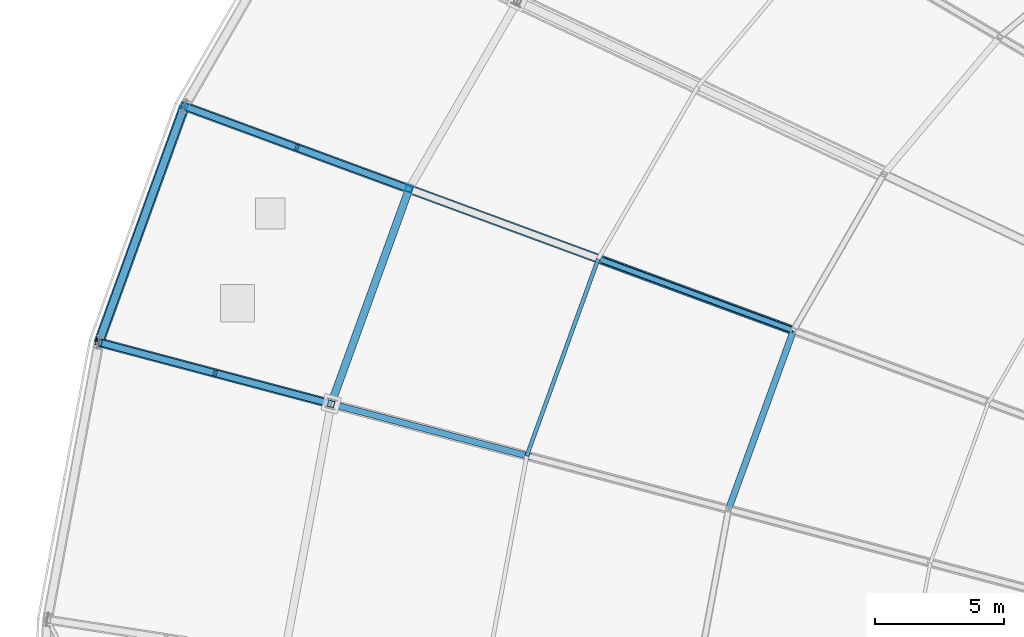
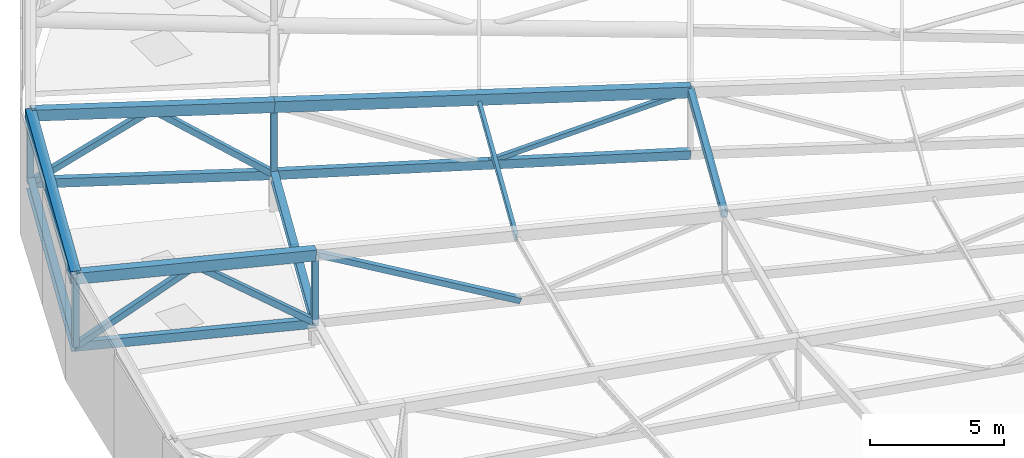
# One storey, part 45 of 143: 11 members, 10 beams.
"""IFC4 building model written with IfcOpenShell, lengths in metres."""

from ifc_helpers import new_model, si_unit, direction, frame, origin, origin_2d, place, context, subcontext, project, spatial, hollow_rectangle, i_section, extrude, material, material_profile, profile_set, type_object, element, save


model = new_model("IFC4")

# Units and contexts
model_context = context("Model", 3, precision=1e-05, world=origin(), true_north=direction((0.0, 1.0)))
body_context = subcontext(model_context, "Body", "Model", "MODEL_VIEW")
ifc_project = project(units=[si_unit("LENGTHUNIT", "METRE"), si_unit("AREAUNIT", "SQUARE_METRE"), si_unit("VOLUMEUNIT", "CUBIC_METRE"), si_unit("PLANEANGLEUNIT", "RADIAN"), si_unit("MASSUNIT", "GRAM", prefix="KILO")], contexts=[model_context])

# Site, building, storey
site_placement = place(None, origin())
site = spatial("IfcSite", under=ifc_project, at=site_placement, CompositionType="ELEMENT")
building_placement = place(site_placement, origin())
building = spatial("IfcBuilding", under=site, at=building_placement, Name="Mphavela Belvedere Stadium", CompositionType="ELEMENT")
storey_placement = place(building_placement, frame((0.0, 0.0, 28.800048828125)))
storey = spatial("IfcBuildingStorey", under=building, at=storey_placement, Name="RF", CompositionType="ELEMENT", Elevation=28.800048828125)

# Beams
ifc_material_1 = material(Name="Steel S355", Category="steel")
ifc_material_profile_1 = material_profile(ifc_material_1, hollow_rectangle(XDim=0.25, YDim=0.39990234375, WallThickness=0.01611328125, at=origin_2d()), Name="RHS 400x250x16")
ifc_profile_set_1 = profile_set([ifc_material_profile_1], Name="Steel S355")
beam_type_1 = type_object("IfcBeamType", Name="BM-RING-MID", PredefinedType="BEAM", material=ifc_profile_set_1)
beam_1_placement = place(storey_placement, frame((41.672607421875, 114.01416015625, 3.554443359375), z_axis=(-0.340000028407, -0.9371540744, -0.078372326236), x_axis=(0.940045505056, -0.341049041085, 0.0)))
element("IfcBeam", 1, at=beam_1_placement, inside=storey, type_object=beam_type_1, Name="Intermediate roof ring beam RB-MID-22", PredefinedType="BEAM", context=body_context, shape_type="SweptSolid", body=[
    extrude(hollow_rectangle(XDim=0.25, YDim=0.39990234375, WallThickness=0.01611328125, at=origin_2d()), origin(), (0.0, 0.0, 1.0), 7.3671875),
])
ifc_material_2 = material(Name="Steel S355", Category="steel")
ifc_material_profile_2 = material_profile(ifc_material_2, hollow_rectangle(XDim=0.39990234375, YDim=0.60009765625, WallThickness=0.02001953125, at=origin_2d()), Name="RHS 600x400x20")
ifc_profile_set_2 = profile_set([ifc_material_profile_2], Name="Steel S355")
beam_type_2 = type_object("IfcBeamType", Name="BM-RING-OUT", PredefinedType="BEAM", material=ifc_profile_set_2)
beam_2_placement = place(storey_placement, frame((18.143798828125, 122.682373046875, 5.411865234375), z_axis=(-0.339968578653, -0.93716524652, -0.078375163435), x_axis=(0.94005692197, -0.341017570596, 0.0)))
element("IfcBeam", 2, at=beam_2_placement, inside=storey, type_object=beam_type_2, Name="Perimeter compression ring beam RB-OUT-22", PredefinedType="BEAM", context=body_context, shape_type="SweptSolid", body=[
    extrude(hollow_rectangle(XDim=0.39990234375, YDim=0.60009765625, WallThickness=0.02001953125, at=origin_2d()), origin(), (0.0, 0.0, 1.0), 9.7314453125),
])
ifc_material_3 = material(Name="Steel S355", Category="steel")
ifc_material_profile_3 = material_profile(ifc_material_3, i_section(OverallWidth=0.300048828125, OverallDepth=0.39990234375, WebThickness=0.013427734375, FlangeThickness=0.02392578125, at=origin_2d()), Name="HEB 400")
ifc_profile_set_3 = profile_set([ifc_material_profile_3], Name="Steel S355")
beam_type_3 = type_object("IfcBeamType", Name="BM-STEEL-HEB400", PredefinedType="BEAM", material=ifc_profile_set_3)
beam_3_placement = place(storey_placement, frame((26.824462890625, 119.484375, 1.611328125), z_axis=(-0.339980753487, -0.937158586677, -0.07840198133), x_axis=(0.940052229987, -0.341030504348, 0.0)))
element("IfcBeam", 3, at=beam_3_placement, inside=storey, type_object=beam_type_3, Name="Roof bottom-chord tie girder R3-22", PredefinedType="BEAM", context=body_context, shape_type="SweptSolid", body=[
    extrude(i_section(OverallWidth=0.300048828125, OverallDepth=0.39990234375, WebThickness=0.013427734375, FlangeThickness=0.02392578125, at=origin_2d()), origin(), (0.0, 0.0, 1.0), 8.859130859375),
])
ifc_material_4 = material(Name="Steel S355", Category="steel")
ifc_material_profile_4 = material_profile(ifc_material_4, i_section(OverallWidth=0.300048828125, OverallDepth=0.60009765625, WebThickness=0.015380859375, FlangeThickness=0.030029296875, at=origin_2d()), Name="HEB 600")
ifc_profile_set_4 = profile_set([ifc_material_profile_4], Name="Steel S355")
beam_type_4 = type_object("IfcBeamType", Name="BM-STEEL-HEB600", PredefinedType="BEAM", material=ifc_profile_set_4)
beam_4_placement = place(storey_placement, frame((18.143798828125, 122.682373046875, 2.31689453125), z_axis=(-0.339967910074, -0.937163403499, -0.078400097335), x_axis=(0.94005692197, -0.341017570596, 0.0)))
element("IfcBeam", 4, at=beam_4_placement, inside=storey, type_object=beam_type_4, Name="Roof bottom-chord tie girder R4-22", PredefinedType="BEAM", context=body_context, shape_type="SweptSolid", body=[
    extrude(i_section(OverallWidth=0.300048828125, OverallDepth=0.60009765625, WebThickness=0.015380859375, FlangeThickness=0.030029296875, at=origin_2d()), origin(), (0.0, 0.0, 1.0), 9.7314453125),
])
ifc_material_5 = material(Name="Steel S355", Category="steel")
ifc_material_profile_5 = material_profile(ifc_material_5, hollow_rectangle(XDim=0.25, YDim=0.39990234375, WallThickness=0.01611328125, at=origin_2d()), Name="RHS 400x250x16")
ifc_profile_set_5 = profile_set([ifc_material_profile_5], Name="Steel S355")
beam_type_5 = type_object("IfcBeamType", Name="BM-TRUSS-BC2", PredefinedType="BEAM", material=ifc_profile_set_5)
beam_5_placement = place(storey_placement, frame((18.143798828125, 122.682373046875, 2.31689453125), z_axis=(0.935630744709, -0.344690829254, -0.076048285865), x_axis=(0.345691905967, 0.938348073025, 0.0)))
element("IfcBeam", 5, at=beam_5_placement, inside=storey, type_object=beam_type_5, Name="Radial roof truss RT-22 bottom chord 1", PredefinedType="BEAM", context=body_context, shape_type="SweptSolid", body=[
    extrude(hollow_rectangle(XDim=0.25, YDim=0.39990234375, WallThickness=0.01611328125, at=origin_2d()), origin(), (0.0, 0.0, 1.0), 9.27783203125),
])
beam_6_placement = place(storey_placement, frame((26.824462890625, 119.484375, 1.611328125), z_axis=(0.936635644943, -0.345066563527, -0.060355077321), x_axis=(0.345696778918, 0.938346277792, 0.0)))
element("IfcBeam", 6, at=beam_6_placement, inside=storey, type_object=beam_type_5, Name="Radial roof truss RT-22 bottom chord 2", PredefinedType="BEAM", context=body_context, shape_type="SweptSolid", body=[
    extrude(hollow_rectangle(XDim=0.25, YDim=0.39990234375, WallThickness=0.01611328125, at=origin_2d()), origin(), (0.0, 0.0, 1.0), 15.8525390625),
])
beam_7_placement = place(storey_placement, frame((14.83544921875, 113.5625, 1.553955078125), z_axis=(0.964322564095, -0.255727748776, -0.068449330767), x_axis=(0.256328944196, 0.966589609073, 0.0)))
element("IfcBeam", 7, at=beam_7_placement, inside=storey, type_object=beam_type_5, Name="Radial roof truss RT-23 bottom chord 1", PredefinedType="BEAM", context=body_context, shape_type="SweptSolid", body=[
    extrude(hollow_rectangle(XDim=0.25, YDim=0.39990234375, WallThickness=0.01611328125, at=origin_2d()), origin(), (0.0, 0.0, 1.0), 9.30908203125),
])
ifc_material_6 = material(Name="Steel S355", Category="steel")
ifc_material_profile_6 = material_profile(ifc_material_6, hollow_rectangle(XDim=0.35009765625, YDim=0.5, WallThickness=0.02001953125, at=origin_2d()), Name="RHS 500x350x20")
ifc_profile_set_6 = profile_set([ifc_material_profile_6], Name="Steel S355")
beam_type_6 = type_object("IfcBeamType", Name="BM-TRUSS-TC2", PredefinedType="BEAM", material=ifc_profile_set_6)
beam_8_placement = place(storey_placement, frame((18.143798828125, 122.682373046875, 5.466796875), z_axis=(0.935630744709, -0.344690829254, -0.076048285865), x_axis=(0.345691905967, 0.938348073025, 0.0)))
element("IfcBeam", 8, at=beam_8_placement, inside=storey, type_object=beam_type_6, Name="Radial roof truss RT-22 top chord 1", PredefinedType="BEAM", context=body_context, shape_type="SweptSolid", body=[
    extrude(hollow_rectangle(XDim=0.35009765625, YDim=0.5, WallThickness=0.02001953125, at=origin_2d()), origin(), (0.0, 0.0, 1.0), 9.27783203125),
])
beam_9_placement = place(storey_placement, frame((26.824462890625, 119.484375, 4.76123046875), z_axis=(0.935629294796, -0.344695813397, -0.076043533233), x_axis=(0.345696778918, 0.938346277792, 0.0)))
element("IfcBeam", 9, at=beam_9_placement, inside=storey, type_object=beam_type_6, Name="Radial roof truss RT-22 top chord 2", PredefinedType="BEAM", context=body_context, shape_type="SweptSolid", body=[
    extrude(hollow_rectangle(XDim=0.35009765625, YDim=0.5, WallThickness=0.02001953125, at=origin_2d()), origin(), (0.0, 0.0, 1.0), 15.86962890625),
])
beam_10_placement = place(storey_placement, frame((14.83544921875, 113.5625, 4.7041015625), z_axis=(0.964322564095, -0.255727748776, -0.068449330767), x_axis=(0.256328944196, 0.966589609073, 0.0)))
element("IfcBeam", 10, at=beam_10_placement, inside=storey, type_object=beam_type_6, Name="Radial roof truss RT-23 top chord 1", PredefinedType="BEAM", context=body_context, shape_type="SweptSolid", body=[
    extrude(hollow_rectangle(XDim=0.35009765625, YDim=0.5, WallThickness=0.02001953125, at=origin_2d()), origin(), (0.0, 0.0, 1.0), 9.30908203125),
])

# Members
ifc_material_7 = material(Name="Steel S355", Category="steel")
ifc_material_profile_7 = material_profile(ifc_material_7, hollow_rectangle(XDim=0.199951171875, YDim=0.199951171875, WallThickness=0.010009765625, at=origin_2d()), Name="SHS 200x200x10")
ifc_profile_set_7 = profile_set([ifc_material_profile_7], Name="Steel S355")
member_type_1 = type_object("IfcMemberType", Name="MEM-POST-SHS200", PredefinedType="POST", material=ifc_profile_set_7)
member_1_placement = place(storey_placement, frame((34.24853515625, 116.749267578125, 1.133056640625), z_axis=(0.897266150481, -0.330562421778, 0.292646442845), x_axis=(0.345696778918, 0.938346277792, 0.0)))
element("IfcMember", 11, at=member_1_placement, inside=storey, type_object=member_type_1, Name="Radial roof truss RT-22 web diagonal D4", PredefinedType="POST", context=body_context, shape_type="SweptSolid", body=[
    extrude(hollow_rectangle(XDim=0.199951171875, YDim=0.199951171875, WallThickness=0.010009765625, at=origin_2d()), origin(), (0.0, 0.0, 1.0), 8.274169921875),
])
ifc_material_8 = material(Name="Steel S355", Category="steel")
ifc_material_profile_8 = material_profile(ifc_material_8, hollow_rectangle(XDim=0.25, YDim=0.25, WallThickness=0.012451171875, at=origin_2d()), Name="SHS 250x250x12.5")
ifc_profile_set_8 = profile_set([ifc_material_profile_8], Name="Steel S355")
member_type_2 = type_object("IfcMemberType", Name="MEM-POST-SHS250", PredefinedType="POST", material=ifc_profile_set_8)
for number, where, z_axis, x_axis, name in (
    (12, (18.143798828125, 122.682373046875, 2.31689453125), (0.0, 0.0, 1.0), (-0.938372433776, 0.34562577382, 0.0), "Radial roof truss RT-22 post P1"),
    (13, (26.824462890625, 119.484375, 1.611328125), (0.0, 0.0, 1.0), (-0.938372433776, 0.34562577382, 0.0), "Radial roof truss RT-22 post P2"),
):
    element("IfcMember", number, at=place(storey_placement, frame(where, z_axis=z_axis, x_axis=x_axis)), inside=storey, type_object=member_type_2, Name=name, PredefinedType="POST", context=body_context, shape_type="SweptSolid", body=[
        extrude(hollow_rectangle(XDim=0.25, YDim=0.25, WallThickness=0.012451171875, at=origin_2d()), origin(), (0.0, 0.0, 1.0), 3.14990234375),
    ])
member_2_placement = place(storey_placement, frame((18.143798828125, 122.682373046875, 2.31689453125), z_axis=(0.80294578517, -0.295831639828, 0.517456961452), x_axis=(0.345715142592, 0.938339512214, 0.0)))
element("IfcMember", 14, at=member_2_placement, inside=storey, type_object=member_type_2, Name="Radial roof truss RT-22 web diagonal D1", PredefinedType="POST", context=body_context, shape_type="SweptSolid", body=[
    extrude(hollow_rectangle(XDim=0.25, YDim=0.25, WallThickness=0.012451171875, at=origin_2d()), origin(), (0.0, 0.0, 1.0), 5.405517578125),
])
member_3_placement = place(storey_placement, frame((22.484130859375, 121.083251953125, 5.114013671875), z_axis=(0.748069688663, -0.275571402354, -0.603698718823), x_axis=(0.345668668705, 0.938356633416, 0.0)))
element("IfcMember", 15, at=member_3_placement, inside=storey, type_object=member_type_2, Name="Radial roof truss RT-22 web diagonal D2", PredefinedType="POST", context=body_context, shape_type="SweptSolid", body=[
    extrude(hollow_rectangle(XDim=0.25, YDim=0.25, WallThickness=0.012451171875, at=origin_2d()), origin(), (0.0, 0.0, 1.0), 5.802001953125),
])
for number, where, z_axis, x_axis, name in (
    (16, (14.83544921875, 113.5625, 1.553955078125), (0.0, 0.0, 1.0), (-0.966600102017, 0.256289373133, 0.0), "Radial roof truss RT-23 post P1"),
    (17, (23.8125, 111.181884765625, 0.916748046875), (0.0, 0.0, 1.0), (-0.966600102017, 0.256289373133, 0.0), "Radial roof truss RT-23 post P2"),
):
    element("IfcMember", number, at=place(storey_placement, frame(where, z_axis=z_axis, x_axis=x_axis)), inside=storey, type_object=member_type_2, Name=name, PredefinedType="POST", context=body_context, shape_type="SweptSolid", body=[
        extrude(hollow_rectangle(XDim=0.25, YDim=0.25, WallThickness=0.012451171875, at=origin_2d()), origin(), (0.0, 0.0, 1.0), 3.150146484375),
    ])
member_4_placement = place(storey_placement, frame((14.83544921875, 113.5625, 1.553955078125), z_axis=(0.825271763283, -0.218830560022, 0.520614735412), x_axis=(0.2563043837, 0.966596121912, 0.0)))
element("IfcMember", 18, at=member_4_placement, inside=storey, type_object=member_type_2, Name="Radial roof truss RT-23 web diagonal D1", PredefinedType="POST", context=body_context, shape_type="SweptSolid", body=[
    extrude(hollow_rectangle(XDim=0.25, YDim=0.25, WallThickness=0.012451171875, at=origin_2d()), origin(), (0.0, 0.0, 1.0), 5.43896484375),
])
member_5_placement = place(storey_placement, frame((19.323974609375, 112.372314453125, 4.385498046875), z_axis=(0.774387876637, -0.205380216833, -0.598449983751), x_axis=(0.256353504195, 0.966583095697, 0.0)))
element("IfcMember", 19, at=member_5_placement, inside=storey, type_object=member_type_2, Name="Radial roof truss RT-23 web diagonal D2", PredefinedType="POST", context=body_context, shape_type="SweptSolid", body=[
    extrude(hollow_rectangle(XDim=0.25, YDim=0.25, WallThickness=0.012451171875, at=origin_2d()), origin(), (0.0, 0.0, 1.0), 5.796142578125),
])
member_6_placement = place(storey_placement, frame((23.8125, 111.181884765625, 4.06689453125), z_axis=(0.881635737055, -0.233816963368, -0.409936647287), x_axis=(0.256346206615, 0.966585031104, 0.0)))
element("IfcMember", 20, at=member_6_placement, inside=storey, type_object=member_type_2, Name="Radial roof truss RT-23 web diagonal D3", PredefinedType="POST", context=body_context, shape_type="SweptSolid", body=[
    extrude(hollow_rectangle(XDim=0.25, YDim=0.25, WallThickness=0.012451171875, at=origin_2d()), origin(), (0.0, 0.0, 1.0), 8.708251953125),
])
ifc_material_9 = material(Name="Steel S355", Category="steel")
ifc_material_profile_9 = material_profile(ifc_material_9, i_section(OverallWidth=0.14990234375, OverallDepth=0.300048828125, WebThickness=0.007080078125, FlangeThickness=0.0107421875, at=origin_2d()), Name="IPE 300")
ifc_profile_set_9 = profile_set([ifc_material_profile_9], Name="Steel S355")
member_type_3 = type_object("IfcMemberType", Name="MEM-PURLIN-IPE300", PredefinedType="PURLIN", material=ifc_profile_set_9)
member_7_placement = place(storey_placement, frame((34.13427734375, 116.791259765625, 3.977294921875), z_axis=(-0.339981739687, -0.937158433412, -0.078399536755), x_axis=(0.940051894968, -0.341031427828, 0.0)))
element("IfcMember", 21, at=member_7_placement, inside=storey, type_object=member_type_3, Name="Saddle canopy steel purlin 22-2", PredefinedType="PURLIN", context=body_context, shape_type="SweptSolid", body=[
    extrude(i_section(OverallWidth=0.14990234375, OverallDepth=0.300048828125, WebThickness=0.007080078125, FlangeThickness=0.0107421875, at=origin_2d()), origin(), (0.0, 0.0, 1.0), 8.12451171875),
])

save(model, "model.ifc")
